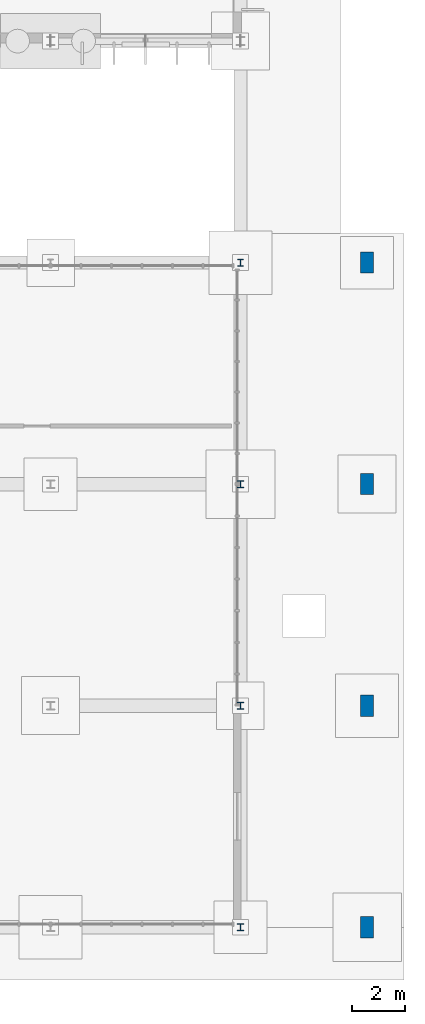
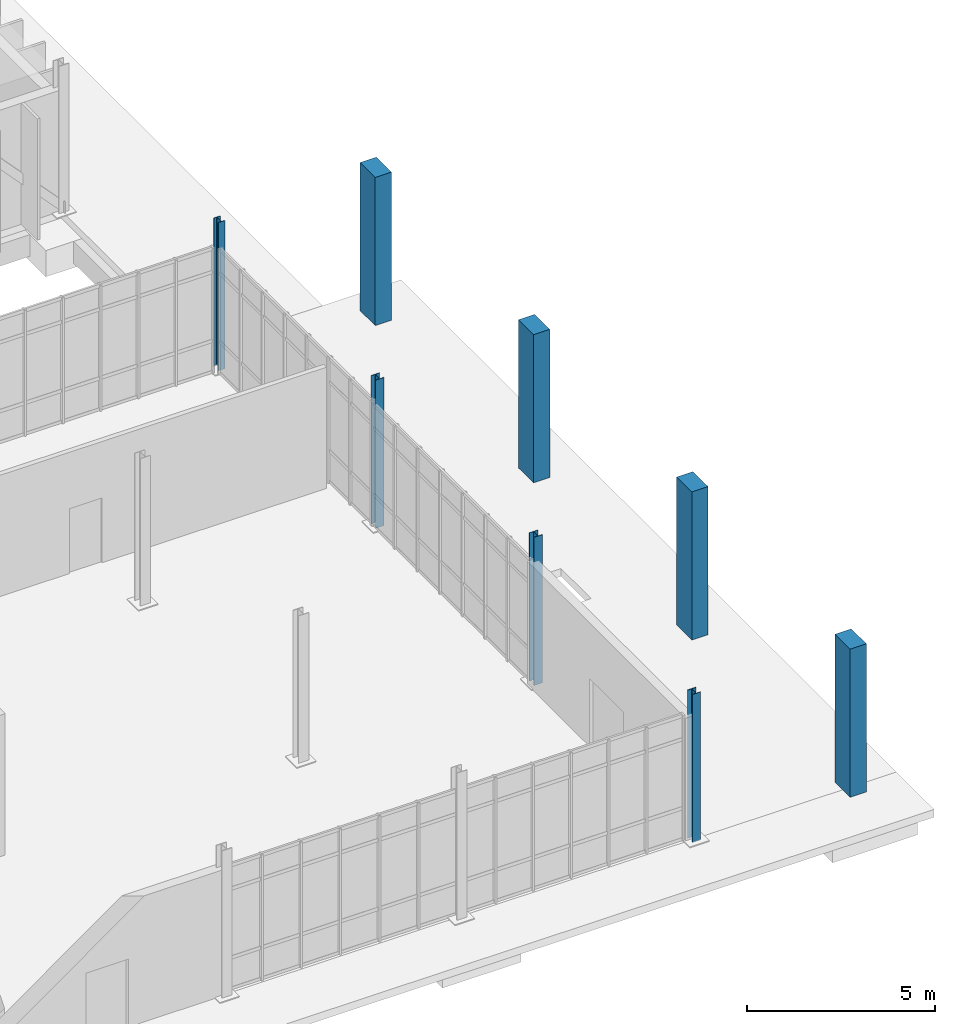
# One storey, part 26 of 118: 8 columns.
"""IFC4 building model written with IfcOpenShell, lengths in metres."""

from ifc_helpers import new_model, si_unit, direction, frame, origin, origin_2d, place, context, subcontext, project, spatial, rectangle, i_section, extrude, material, material_profile, profile_set, type_object, element, save


model = new_model("IFC4")

# Units and contexts
model_context = context("Model", 3, precision=1e-05, world=origin(), true_north=direction((0.0, 1.0)))
body_context = subcontext(model_context, "Body", "Model", "MODEL_VIEW")
ifc_project = project(units=[si_unit("LENGTHUNIT", "METRE"), si_unit("AREAUNIT", "SQUARE_METRE"), si_unit("VOLUMEUNIT", "CUBIC_METRE"), si_unit("PLANEANGLEUNIT", "RADIAN"), si_unit("MASSUNIT", "GRAM", prefix="KILO")], contexts=[model_context])

# Site, building, storey
site_placement = place(None, origin())
site = spatial("IfcSite", under=ifc_project, at=site_placement, CompositionType="ELEMENT")
building_placement = place(site_placement, origin())
building = spatial("IfcBuilding", under=site, at=building_placement, Name="Qelthora Terrace Specialist Clinic", CompositionType="ELEMENT")
storey_placement = place(building_placement, origin())
storey = spatial("IfcBuildingStorey", under=building, at=storey_placement, Name="L00", CompositionType="ELEMENT", Elevation=0.0)

# Columns
ifc_material_1 = material(Name="Concrete C40/50", Category="concrete")
ifc_material_profile_1 = material_profile(ifc_material_1, rectangle(XDim=0.5, YDim=0.800048828125, at=origin_2d()), Name="RC500X800")
ifc_profile_set_1 = profile_set([ifc_material_profile_1], Name="Concrete C40/50")
column_type_1 = type_object("IfcColumnType", Name="COL-PIL500X800", PredefinedType="PILASTER", material=ifc_profile_set_1)
for number, where, z_axis, x_axis, name in (
    (1, (163.199951171875, 0.0, 0.0), (0.0, 0.0, 1.0), (1.0, 0.0, 0.0), "Column L00-260"),
    (2, (163.199951171875, 8.39990234375, 0.0), (0.0, 0.0, 1.0), (1.0, 0.0, 0.0), "Column L00-261"),
    (3, (163.199951171875, 16.800048828125, 0.0), (0.0, 0.0, 1.0), (1.0, 0.0, 0.0), "Column L00-262"),
    (4, (163.199951171875, 25.199951171875, 0.0), (0.0, 0.0, 1.0), (1.0, 0.0, 0.0), "Column L00-263"),
):
    element("IfcColumn", number, at=place(storey_placement, frame(where, z_axis=z_axis, x_axis=x_axis)), inside=storey, type_object=column_type_1, Name=name, PredefinedType="PILASTER", context=body_context, shape_type="SweptSolid", body=[
        extrude(rectangle(XDim=0.5, YDim=0.800048828125, at=origin_2d()), origin(), (0.0, 0.0, 1.0), 4.800048828125),
    ])
ifc_material_2 = material(Name="Steel S355", Category="steel")
ifc_material_profile_2 = material_profile(ifc_material_2, i_section(OverallWidth=0.2041015625, OverallDepth=0.257080078125, WebThickness=0.0087890625, FlangeThickness=0.015625, FilletRadius=0.012939453125, at=origin_2d()), Name="W250X67")
ifc_profile_set_2 = profile_set([ifc_material_profile_2], Name="Steel S355")
column_type_2 = type_object("IfcColumnType", Name="COL-W250X67", PredefinedType="COLUMN", material=ifc_profile_set_2)
column_1_placement = place(storey_placement, frame((158.39990234375, 25.199951171875, 0.0), z_axis=(0.0, 0.0, 1.0), x_axis=(1.0, 0.0, 0.0)))
element("IfcColumn", 5, at=column_1_placement, inside=storey, type_object=column_type_2, Name="Column L00-251", PredefinedType="COLUMN", context=body_context, shape_type="SweptSolid", body=[
    extrude(i_section(OverallWidth=0.2041015625, OverallDepth=0.257080078125, WebThickness=0.0087890625, FlangeThickness=0.015625, FilletRadius=0.012939453125, at=origin_2d()), origin(), (0.0, 0.0, 1.0), 4.800048828125),
])
ifc_material_profile_3 = material_profile(ifc_material_2, i_section(OverallWidth=0.25390625, OverallDepth=0.2529296875, WebThickness=0.008544921875, FlangeThickness=0.01416015625, FilletRadius=0.012939453125, at=origin_2d()), Name="W250X73")
ifc_profile_set_3 = profile_set([ifc_material_profile_3], Name="Steel S355")
column_type_3 = type_object("IfcColumnType", Name="COL-W250X73", PredefinedType="COLUMN", material=ifc_profile_set_3)
column_2_placement = place(storey_placement, frame((158.39990234375, 16.800048828125, 0.0), z_axis=(0.0, 0.0, 1.0), x_axis=(1.0, 0.0, 0.0)))
element("IfcColumn", 6, at=column_2_placement, inside=storey, type_object=column_type_3, Name="Column L00-250", PredefinedType="COLUMN", context=body_context, shape_type="SweptSolid", body=[
    extrude(i_section(OverallWidth=0.25390625, OverallDepth=0.2529296875, WebThickness=0.008544921875, FlangeThickness=0.01416015625, FilletRadius=0.012939453125, at=origin_2d()), origin(), (0.0, 0.0, 1.0), 4.800048828125),
])
ifc_material_profile_4 = material_profile(ifc_material_2, i_section(OverallWidth=0.2548828125, OverallDepth=0.256103515625, WebThickness=0.009521484375, FlangeThickness=0.015625, FilletRadius=0.012939453125, at=origin_2d()), Name="W250X80")
ifc_profile_set_4 = profile_set([ifc_material_profile_4], Name="Steel S355")
column_type_4 = type_object("IfcColumnType", Name="COL-W250X80", PredefinedType="COLUMN", material=ifc_profile_set_4)
column_3_placement = place(storey_placement, frame((158.39990234375, 8.39990234375, 0.0), z_axis=(0.0, 0.0, 1.0), x_axis=(1.0, 0.0, 0.0)))
element("IfcColumn", 7, at=column_3_placement, inside=storey, type_object=column_type_4, Name="Column L00-249", PredefinedType="COLUMN", context=body_context, shape_type="SweptSolid", body=[
    extrude(i_section(OverallWidth=0.2548828125, OverallDepth=0.256103515625, WebThickness=0.009521484375, FlangeThickness=0.015625, FilletRadius=0.012939453125, at=origin_2d()), origin(), (0.0, 0.0, 1.0), 4.800048828125),
])
ifc_material_profile_5 = material_profile(ifc_material_2, i_section(OverallWidth=0.256103515625, OverallDepth=0.260009765625, WebThickness=0.0107421875, FlangeThickness=0.017333984375, FilletRadius=0.012939453125, at=origin_2d()), Name="W250X89")
ifc_profile_set_5 = profile_set([ifc_material_profile_5], Name="Steel S355")
column_type_5 = type_object("IfcColumnType", Name="COL-W250X89", PredefinedType="COLUMN", material=ifc_profile_set_5)
column_4_placement = place(storey_placement, frame((158.39990234375, 0.0, 0.0), z_axis=(0.0, 0.0, 1.0), x_axis=(1.0, 0.0, 0.0)))
element("IfcColumn", 8, at=column_4_placement, inside=storey, type_object=column_type_5, Name="Column L00-248", PredefinedType="COLUMN", context=body_context, shape_type="SweptSolid", body=[
    extrude(i_section(OverallWidth=0.256103515625, OverallDepth=0.260009765625, WebThickness=0.0107421875, FlangeThickness=0.017333984375, FilletRadius=0.012939453125, at=origin_2d()), origin(), (0.0, 0.0, 1.0), 4.800048828125),
])

save(model, "model.ifc")
